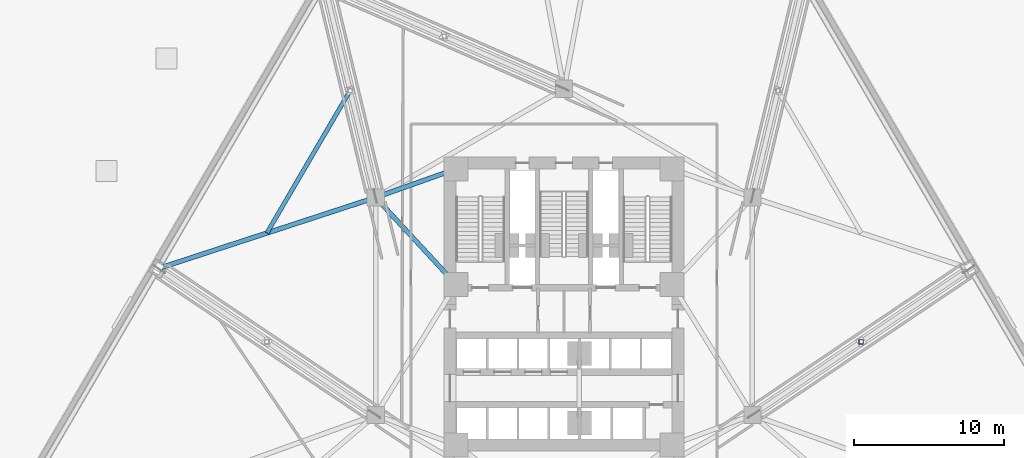
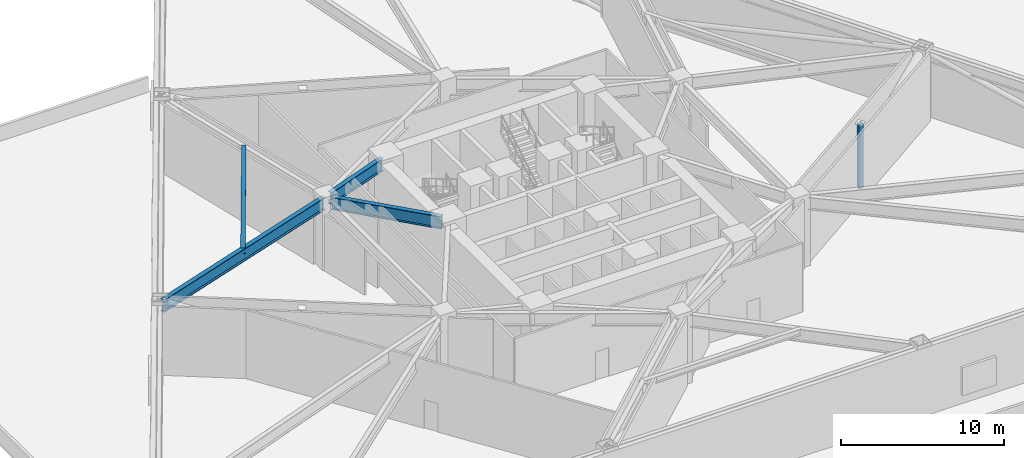
# One storey, part 4 of 23: 4 beams, 1 member.
"""IFC4 building model written with IfcOpenShell, lengths in metres."""

from ifc_helpers import new_model, si_unit, direction, frame, origin, origin_2d, place, context, subcontext, project, spatial, hollow_rectangle, i_section, extrude, material, material_profile, profile_set, type_object, element, save


model = new_model("IFC4")

# Units and contexts
model_context = context("Model", 3, precision=1e-05, world=origin(), true_north=direction((0.0, 1.0)))
body_context = subcontext(model_context, "Body", "Model", "MODEL_VIEW")
ifc_project = project(units=[si_unit("LENGTHUNIT", "METRE"), si_unit("AREAUNIT", "SQUARE_METRE"), si_unit("VOLUMEUNIT", "CUBIC_METRE"), si_unit("PLANEANGLEUNIT", "RADIAN"), si_unit("MASSUNIT", "GRAM", prefix="KILO")], contexts=[model_context])

# Site, building, storey
site_placement = place(None, origin())
site = spatial("IfcSite", under=ifc_project, at=site_placement, CompositionType="ELEMENT")
building_placement = place(site_placement, origin())
building = spatial("IfcBuilding", under=site, at=building_placement, Name="Apsidion Concourse Tower", CompositionType="ELEMENT")
storey_placement = place(building_placement, frame((0.0, 0.0, 29.0)))
storey = spatial("IfcBuildingStorey", under=building, at=storey_placement, Name="L05", CompositionType="ELEMENT", Elevation=29.0)

# Beams
ifc_material_1 = material(Name="Structural steel ASTM A992 Grade 50", Category="steel")
ifc_material_profile_1 = material_profile(ifc_material_1, i_section(OverallWidth=0.283935546875, OverallDepth=0.47607421875, WebThickness=0.014892578125, FlangeThickness=0.02392578125, at=origin_2d()), Name="W18X106")
ifc_profile_set_1 = profile_set([ifc_material_profile_1], Name="Structural steel ASTM A992 Grade 50")
beam_type_1 = type_object("IfcBeamType", Name="BM-FL-W18H", PredefinedType="BEAM", material=ifc_profile_set_1)
beam_1_placement = place(storey_placement, frame((-14.268310546875, 14.371826171875, 4.912109375), z_axis=(-0.504293469124, -0.863532336974, 0.0), x_axis=(0.863532336974, -0.504293469124, 0.0)))
element("IfcBeam", 1, at=beam_1_placement, inside=storey, type_object=beam_type_1, Name="L05 Secondary Floor Beam SEC-F1", PredefinedType="BEAM", context=body_context, shape_type="SweptSolid", body=[
    extrude(i_section(OverallWidth=0.283935546875, OverallDepth=0.47607421875, WebThickness=0.014892578125, FlangeThickness=0.02392578125, at=origin_2d()), origin(), (0.0, 0.0, 1.0), 10.993896484375),
])
ifc_material_profile_2 = material_profile(ifc_material_1, i_section(OverallWidth=0.31005859375, OverallDepth=0.931884765625, WebThickness=0.02099609375, FlangeThickness=0.034423828125, at=origin_2d()), Name="W36X210")
ifc_profile_set_2 = profile_set([ifc_material_profile_2], Name="Structural steel ASTM A992 Grade 50")
beam_type_2 = type_object("IfcBeamType", Name="BM-G-W36", PredefinedType="USERDEFINED", material=ifc_profile_set_2)
beam_2_placement = place(storey_placement, frame((-12.28857421875, 6.956298828125, 4.68408203125), z_axis=(0.678712876106, -0.73440372535, 0.0), x_axis=(0.73440372535, 0.678712876106, 0.0)))
element("IfcBeam", 2, at=beam_2_placement, inside=storey, type_object=beam_type_2, Name="L05 Core Coupling Girder IC5-SC6", ObjectType="GIRDER", PredefinedType="USERDEFINED", context=body_context, shape_type="SweptSolid", body=[
    extrude(i_section(OverallWidth=0.31005859375, OverallDepth=0.931884765625, WebThickness=0.02099609375, FlangeThickness=0.034423828125, at=origin_2d()), origin(), (0.0, 0.0, 1.0), 7.097412109375),
])
beam_3_placement = place(storey_placement, frame((-12.18310546875, 7.383544921875, 4.68408203125), z_axis=(0.942533844539, 0.334110688094, 0.0), x_axis=(-0.334110688094, 0.942533844539, 0.0)))
element("IfcBeam", 3, at=beam_3_placement, inside=storey, type_object=beam_type_2, Name="L05 Core Coupling Girder IC5-SC5", ObjectType="GIRDER", PredefinedType="USERDEFINED", context=body_context, shape_type="SweptSolid", body=[
    extrude(i_section(OverallWidth=0.31005859375, OverallDepth=0.931884765625, WebThickness=0.02099609375, FlangeThickness=0.034423828125, at=origin_2d()), origin(), (0.0, 0.0, 1.0), 4.886962890625),
])
beam_4_placement = place(storey_placement, frame((-12.76904296875, 7.181640625, 4.68408203125), z_axis=(-0.950465100465, -0.310831293145, 0.0), x_axis=(0.310831293145, -0.950465100465, 0.0)))
element("IfcBeam", 4, at=beam_4_placement, inside=storey, type_object=beam_type_2, Name="L05 Radial Floor Girder RAD-03", ObjectType="GIRDER", PredefinedType="USERDEFINED", context=body_context, shape_type="SweptSolid", body=[
    extrude(i_section(OverallWidth=0.31005859375, OverallDepth=0.931884765625, WebThickness=0.02099609375, FlangeThickness=0.034423828125, at=origin_2d()), origin(), (0.0, 0.0, 1.0), 14.8212890625),
])

# Member
ifc_material_2 = material(Name="Structural steel ASTM A500 Grade C", Category="steel")
ifc_material_profile_3 = material_profile(ifc_material_2, hollow_rectangle(XDim=0.300048828125, YDim=0.300048828125, WallThickness=0.02001953125, at=origin_2d()), Name="HSS300X300X20")
ifc_profile_set_3 = profile_set([ifc_material_profile_3], Name="Structural steel ASTM A500 Grade C")
member_type = type_object("IfcMemberType", Name="MB-ST-HSS300", PredefinedType="STRUT", material=ifc_profile_set_3)
member_placement = place(storey_placement, frame((19.8125, -2.371826171875, 0.219970703125), z_axis=(0.0, 0.0, 1.0), x_axis=(1.0, 0.0, 0.0)))
element("IfcMember", 5, at=member_placement, inside=storey, type_object=member_type, Name="L05 Outrigger Truss Compression Strut OTV-02", PredefinedType="STRUT", context=body_context, shape_type="SweptSolid", body=[
    extrude(hollow_rectangle(XDim=0.300048828125, YDim=0.300048828125, WallThickness=0.02001953125, at=origin_2d()), origin(), (0.0, 0.0, 1.0), 4.830078125),
])

save(model, "model.ifc")
